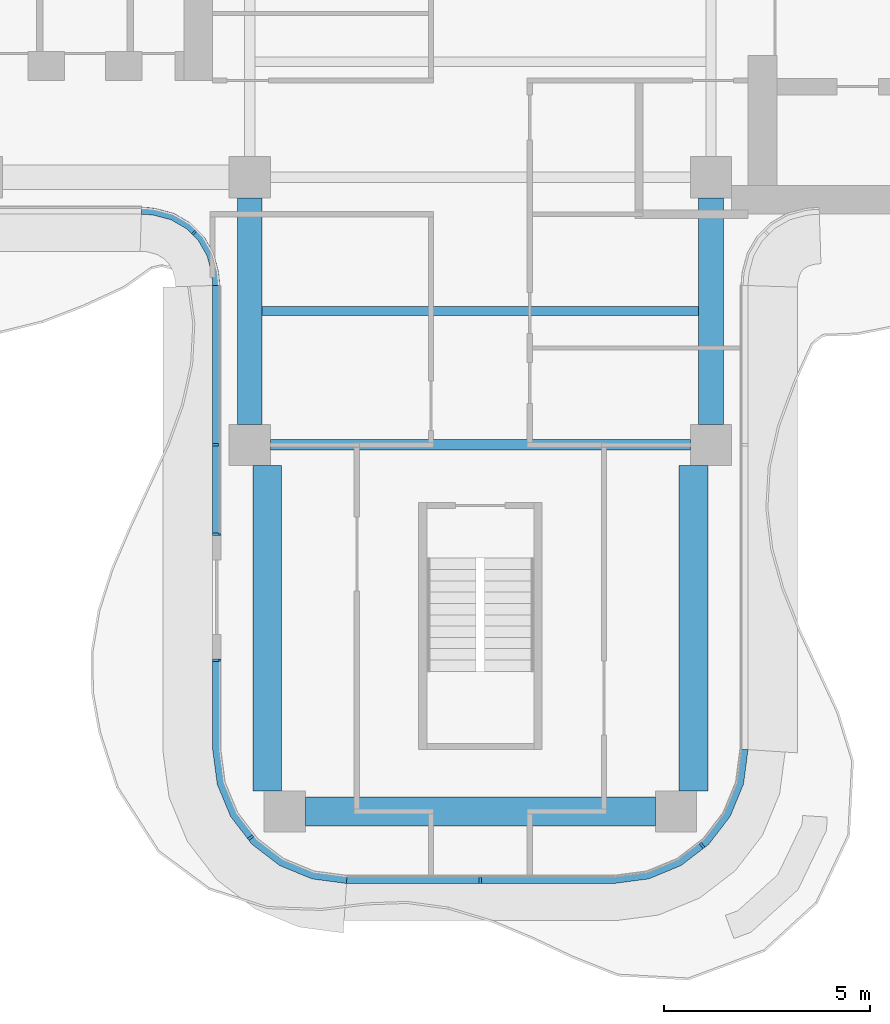
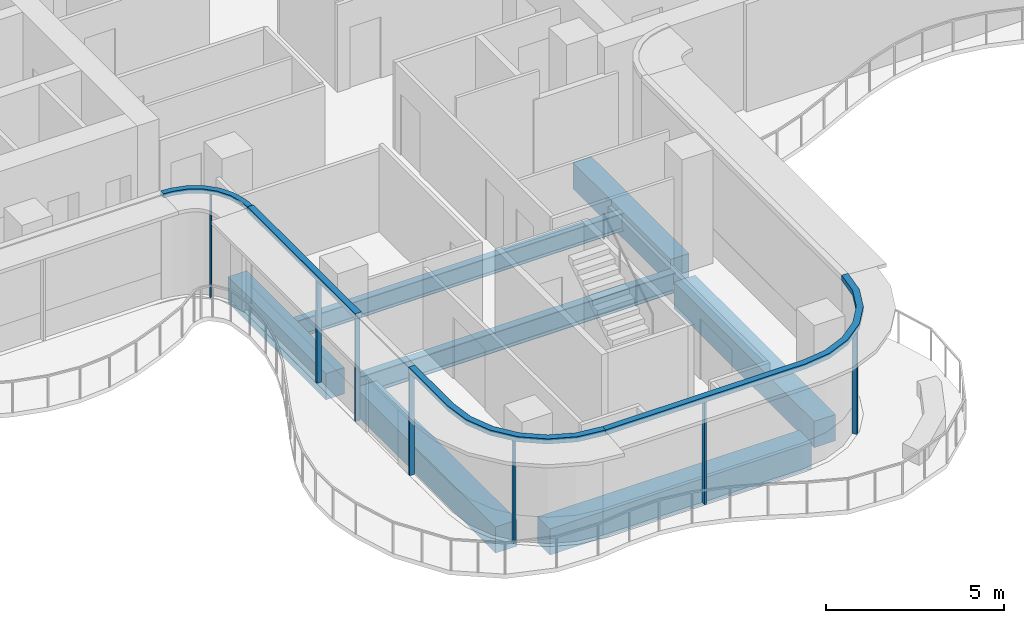
# One storey, part 2 of 16: 11 members, 7 beams, 4 elements without a shape of their own.
"""IFC4 building model written with IfcOpenShell, lengths in metres."""

from ifc_helpers import new_model, si_unit, direction, frame, origin, origin_2d, place, context, subcontext, project, spatial, polyline, rectangle, i_section, outline, extrude, source, transform, mapped, material, layer, layer_set, material_profile, profile_set, type_object, element, aggregate, save


model = new_model("IFC4")

# Units and contexts
model_context = context("Model", 3, precision=1e-05, world=origin(), true_north=direction((0.0, 1.0)))
body_context = subcontext(model_context, "Body", "Model", "MODEL_VIEW")
ifc_project = project(units=[si_unit("LENGTHUNIT", "METRE"), si_unit("AREAUNIT", "SQUARE_METRE"), si_unit("VOLUMEUNIT", "CUBIC_METRE"), si_unit("PLANEANGLEUNIT", "RADIAN"), si_unit("MASSUNIT", "GRAM", prefix="KILO")], contexts=[model_context])

# Site, building, storey
site_placement = place(None, origin())
site = spatial("IfcSite", under=ifc_project, at=site_placement, CompositionType="ELEMENT")
building_placement = place(site_placement, origin())
building = spatial("IfcBuilding", under=site, at=building_placement, Name="Trellis Farm Tower", CompositionType="ELEMENT")
storey_placement = place(building_placement, frame((0.0, 0.0, 298.89990234375)))
storey = spatial("IfcBuildingStorey", under=building, at=storey_placement, Name="L67", CompositionType="ELEMENT", Elevation=298.89990234375)

# Curtain wall, member
ifc_material_1 = material(Name="Aluminium and glass curtain wall", Category="aluminium")
ifc_layer_1 = layer(ifc_material_1, 0.18994140625)
ifc_layer_set_1 = layer_set([ifc_layer_1], Name="RIBBON CURTAIN WALL CW1")
curtain_wall_type_1 = type_object("IfcCurtainWallType", Name="RIBBON CURTAIN WALL CW1", PredefinedType="NOTDEFINED", material=ifc_layer_set_1)
placement_1 = place(storey_placement, origin())
curtain_wall_1 = element("IfcCurtainWall", 1, at=placement_1, inside=storey, type_object=curtain_wall_type_1, Name="CW1 002", PredefinedType="NOTDEFINED")
ifc_material_2 = material(Name="Aluminium extrusion 6063-T6", Category="aluminium")
ifc_layer_2 = layer(ifc_material_2, 0.199951171875)
ifc_layer_set_2 = layer_set([ifc_layer_2], Name="Aluminium extrusion 6063-T6")
member_type_1 = type_object("IfcMemberType", Name="CW1 TRANSOM 200x180", PredefinedType="USERDEFINED", material=ifc_layer_set_2)
placement_2 = place(storey_placement, frame((0.0, 0.0, 3.52001953125)))
member_1 = element("IfcMember", 2, at=placement_2, type_object=member_type_1, Name="TR1 002", ObjectType="TRANSOM", PredefinedType="USERDEFINED", context=body_context, shape_type="SweptSolid", body=[
    extrude(outline(polyline([(-6.5, -8.2314453125), (-6.5, -14.300048828125), (-6.300048828125, -14.300048828125), (-6.300048828125, -8.224853515625), (-6.5, -8.2314453125)])), origin(), (0.0, 0.0, 1.0), 0.18017578125),
])

curtain_wall_2 = element("IfcCurtainWall", 3, at=placement_1, inside=storey, type_object=curtain_wall_type_1, Name="CW1 003", PredefinedType="NOTDEFINED")
member_2 = element("IfcMember", 4, at=placement_2, type_object=member_type_1, Name="TR1 003", ObjectType="TRANSOM", PredefinedType="USERDEFINED", context=body_context, shape_type="SweptSolid", body=[
    extrude(outline(polyline([(-6.5, -17.300048828125), (-6.5, -19.5), (-6.38916015625, -20.341064453125), (-6.064697265625, -21.125), (-5.548095703125, -21.798095703125), (-4.875, -22.314697265625), (-4.091064453125, -22.63916015625), (-3.25, -22.75), (-3.23681640625, -22.550048828125), (-4.0390625, -22.4443359375), (-4.774169921875, -22.139892578125), (-5.405517578125, -21.655517578125), (-5.889892578125, -21.024169921875), (-6.1943359375, -20.2890625), (-6.300048828125, -19.48681640625), (-6.300048828125, -17.300048828125), (-6.5, -17.300048828125)])), origin(), (0.0, 0.0, 1.0), 0.18017578125),
])

# Beams
ifc_material_3 = material(Name="Steel S355", Category="steel")
ifc_material_profile_1 = material_profile(ifc_material_3, i_section(OverallWidth=0.22900390625, OverallDepth=0.6123046875, WebThickness=0.011962890625, FlangeThickness=0.01953125, FilletRadius=0.0126953125, at=origin_2d()), Name="UB 610x229x125")
ifc_profile_set_1 = profile_set([ifc_material_profile_1], Name="Steel S355")
beam_type_1 = type_object("IfcBeamType", Name="UB 610x229x125 joist", PredefinedType="JOIST", material=ifc_profile_set_1)
shared_shape_1 = source(origin(), body_context, "Body", "SweptSolid", [
    extrude(i_section(OverallWidth=0.22900390625, OverallDepth=0.6123046875, WebThickness=0.011962890625, FlangeThickness=0.01953125, FilletRadius=0.0126953125, at=origin_2d()), origin(), (0.0, 0.0, 1.0), 10.60009765625),
])
beam_1_placement = place(storey_placement, frame((-5.300048828125, -8.85009765625, -0.506103515625), z_axis=(1.0, 0.0, 0.0), x_axis=(0.0, 1.0, 0.0)))
element("IfcBeam", 5, at=beam_1_placement, inside=storey, type_object=beam_type_1, Name="Floor beam", PredefinedType="JOIST", context=body_context, shape_type="MappedRepresentation", body=[
    mapped(shared_shape_1, transform((0.0, 0.0, 0.0))),
])
ifc_material_profile_2 = material_profile(ifc_material_3, i_section(OverallWidth=0.253662109375, OverallDepth=0.68359375, WebThickness=0.012451171875, FlangeThickness=0.021728515625, FilletRadius=0.01513671875, at=origin_2d()), Name="UB 686x254x140")
ifc_profile_set_2 = profile_set([ifc_material_profile_2], Name="Steel S355")
beam_type_2 = type_object("IfcBeamType", Name="UB 686x254x140", PredefinedType="BEAM", material=ifc_profile_set_2)
shared_shape_2 = source(origin(), body_context, "Body", "SweptSolid", [
    extrude(i_section(OverallWidth=0.253662109375, OverallDepth=0.68359375, WebThickness=0.012451171875, FlangeThickness=0.021728515625, FilletRadius=0.01513671875, at=origin_2d()), origin(), (0.0, 0.0, 1.0), 10.2001953125),
])
beam_2_placement = place(storey_placement, frame((-5.10009765625, -12.10009765625, -0.541748046875), z_axis=(1.0, 0.0, 0.0), x_axis=(0.0, 1.0, 0.0)))
element("IfcBeam", 6, at=beam_2_placement, inside=storey, type_object=beam_type_2, Name="Girder", PredefinedType="BEAM", context=body_context, shape_type="MappedRepresentation", body=[
    mapped(shared_shape_2, transform((0.0, 0.0, 0.0))),
])
ifc_material_4 = material(Name="Concrete C60/75", Category="concrete")
ifc_material_profile_3 = material_profile(ifc_material_4, rectangle(XDim=0.60009765625, YDim=0.89990234375, at=origin_2d()), Name="RC spandrel beam 600x900 C60/75")
ifc_profile_set_3 = profile_set([ifc_material_profile_3], Name="Concrete C60/75")
beam_type_3 = type_object("IfcBeamType", Name="RC spandrel beam 600x900 C60/75", PredefinedType="SPANDREL", material=ifc_profile_set_3)
shared_shape_3 = source(origin(), body_context, "Body", "SweptSolid", [
    extrude(rectangle(XDim=0.60009765625, YDim=0.89990234375, at=origin_2d()), origin(), (0.0, 0.0, 1.0), 5.5),
])
for number, where, z_axis, x_axis, name in (
    (7, (-5.60009765625, -11.60009765625, -0.64990234375), (0.0, 1.0, 0.0), (-1.0, 0.0, 0.0), "Girder"),
    (8, (5.60009765625, -11.60009765625, -0.64990234375), (0.0, 1.0, 0.0), (-1.0, 0.0, 0.0), "Girder"),
):
    element("IfcBeam", number, at=place(storey_placement, frame(where, z_axis=z_axis, x_axis=x_axis)), inside=storey, type_object=beam_type_3, Name=name, PredefinedType="SPANDREL", context=body_context, shape_type="MappedRepresentation", body=[
        mapped(shared_shape_3, transform((0.0, 0.0, 0.0))),
    ])
ifc_material_profile_4 = material_profile(ifc_material_4, rectangle(XDim=0.699951171875, YDim=0.89990234375, at=origin_2d()), Name="RC spandrel beam 700x900 C60/75")
ifc_profile_set_4 = profile_set([ifc_material_profile_4], Name="Concrete C60/75")
beam_type_4 = type_object("IfcBeamType", Name="RC spandrel beam 700x900 C60/75", PredefinedType="SPANDREL", material=ifc_profile_set_4)
shared_shape_4 = source(origin(), body_context, "Body", "SweptSolid", [
    extrude(rectangle(XDim=0.699951171875, YDim=0.89990234375, at=origin_2d()), origin(), (0.0, 0.0, 1.0), 8.5),
])
beam_3_placement = place(storey_placement, frame((-4.25, -21.0, -0.64990234375), z_axis=(1.0, 0.0, 0.0), x_axis=(0.0, 1.0, 0.0)))
element("IfcBeam", 9, at=beam_3_placement, inside=storey, type_object=beam_type_4, Name="Girder", PredefinedType="SPANDREL", context=body_context, shape_type="MappedRepresentation", body=[
    mapped(shared_shape_4, transform((0.0, 0.0, 0.0))),
])
shared_shape_5 = source(origin(), body_context, "Body", "SweptSolid", [
    extrude(rectangle(XDim=0.699951171875, YDim=0.89990234375, at=origin_2d()), origin(), (0.0, 0.0, 1.0), 7.89990234375),
])
for number, where, z_axis, x_axis, name in (
    (10, (-5.175048828125, -20.5, -0.64990234375), (0.0, 1.0, 0.0), (-1.0, 0.0, 0.0), "Girder"),
    (11, (5.175048828125, -20.5, -0.64990234375), (0.0, 1.0, 0.0), (-1.0, 0.0, 0.0), "Girder"),
):
    element("IfcBeam", number, at=place(storey_placement, frame(where, z_axis=z_axis, x_axis=x_axis)), inside=storey, type_object=beam_type_4, Name=name, PredefinedType="SPANDREL", context=body_context, shape_type="MappedRepresentation", body=[
        mapped(shared_shape_5, transform((0.0, 0.0, 0.0))),
    ])

# Member
ifc_material_profile_5 = material_profile(ifc_material_2, rectangle(XDim=0.06005859375, YDim=0.14990234375, at=origin_2d()), Name="MULLION 60x150")
ifc_profile_set_5 = profile_set([ifc_material_profile_5], Name="Aluminium extrusion 6063-T6")
member_type_2 = type_object("IfcMemberType", Name="CW1 MULLION 60x150", PredefinedType="MULLION", material=ifc_profile_set_5)
shared_shape_6 = source(origin(), body_context, "Body", "SweptSolid", [
    extrude(rectangle(XDim=0.06005859375, YDim=0.14990234375, at=origin_2d()), origin(), (0.0, 0.0, 1.0), 3.52001953125),
])
member_3_placement = place(storey_placement, frame((-6.425048828125, -12.10009765625, 0.0), z_axis=(0.0, 0.0, 1.0), x_axis=(0.0, -1.0, 0.0)))
member_3 = element("IfcMember", 12, at=member_3_placement, type_object=member_type_2, Name="MU1 002-01", PredefinedType="MULLION", context=body_context, shape_type="MappedRepresentation", body=[
    mapped(shared_shape_6, transform((0.0, 0.0, 0.0))),
])

member_4_placement = place(storey_placement, frame((-6.425048828125, -14.27001953125, 0.0), z_axis=(0.0, 0.0, 1.0), x_axis=(0.0, -1.0, 0.0)))
member_4 = element("IfcMember", 13, at=member_4_placement, type_object=member_type_2, Name="MU1 002-02", PredefinedType="MULLION", context=body_context, shape_type="MappedRepresentation", body=[
    mapped(shared_shape_6, transform((0.0, 0.0, 0.0))),
])

aggregate(curtain_wall_1, [member_3, member_4, member_1])

member_5_placement = place(storey_placement, frame((-6.425048828125, -17.330078125, 0.0), z_axis=(0.0, 0.0, 1.0), x_axis=(0.0, -1.0, 0.0)))
member_5 = element("IfcMember", 14, at=member_5_placement, type_object=member_type_2, Name="MU1 003-01", PredefinedType="MULLION", context=body_context, shape_type="MappedRepresentation", body=[
    mapped(shared_shape_6, transform((0.0, 0.0, 0.0))),
])

member_6_placement = place(storey_placement, frame((-5.578369140625, -21.635498046875, 0.0), z_axis=(0.0, 0.0, 1.0), x_axis=(0.608761429009, -0.793353340291, 0.0)))
member_6 = element("IfcMember", 15, at=member_6_placement, type_object=member_type_2, Name="MU1 003-02", PredefinedType="MULLION", context=body_context, shape_type="MappedRepresentation", body=[
    mapped(shared_shape_6, transform((0.0, 0.0, 0.0))),
])

aggregate(curtain_wall_2, [member_5, member_6, member_2])

# Curtain wall, members
curtain_wall_3 = element("IfcCurtainWall", 16, at=placement_1, inside=storey, type_object=curtain_wall_type_1, Name="CW1 004", PredefinedType="NOTDEFINED")
member_7_placement = place(storey_placement, frame((0.0, -22.675048828125, 0.0), z_axis=(0.0, 0.0, 1.0), x_axis=(1.0, 0.0, 0.0)))
member_7 = element("IfcMember", 17, at=member_7_placement, type_object=member_type_2, Name="MU1 004-01", PredefinedType="MULLION", context=body_context, shape_type="MappedRepresentation", body=[
    mapped(shared_shape_6, transform((0.0, 0.0, 0.0))),
])
member_8_placement = place(storey_placement, frame((5.385498046875, -21.828369140625, 0.0), z_axis=(0.0, 0.0, 1.0), x_axis=(0.793353340291, 0.608761429009, 0.0)))
member_8 = element("IfcMember", 18, at=member_8_placement, type_object=member_type_2, Name="MU1 004-02", PredefinedType="MULLION", context=body_context, shape_type="MappedRepresentation", body=[
    mapped(shared_shape_6, transform((0.0, 0.0, 0.0))),
])

ifc_layer_3 = layer(ifc_material_1, 0.166015625)
ifc_layer_set_3 = layer_set([ifc_layer_3], Name="WINTER GARDEN CURTAIN WALL CW3")
curtain_wall_type_2 = type_object("IfcCurtainWallType", Name="WINTER GARDEN CURTAIN WALL CW3", PredefinedType="NOTDEFINED", material=ifc_layer_set_3)
curtain_wall_4 = element("IfcCurtainWall", 19, at=placement_1, inside=storey, type_object=curtain_wall_type_2, Name="CW3 001", PredefinedType="NOTDEFINED")
ifc_material_profile_6 = material_profile(ifc_material_2, rectangle(XDim=0.050048828125, YDim=0.1201171875, at=origin_2d()), Name="MULLION 50x120")
ifc_profile_set_6 = profile_set([ifc_material_profile_6], Name="Aluminium extrusion 6063-T6")
member_type_3 = type_object("IfcMemberType", Name="CW3 MULLION 50x120", PredefinedType="MULLION", material=ifc_profile_set_6)
shared_shape_7 = source(origin(), body_context, "Body", "SweptSolid", [
    extrude(rectangle(XDim=0.050048828125, YDim=0.1201171875, at=origin_2d()), origin(), (0.0, 0.0, 1.0), 3.550048828125),
])
member_9_placement = place(storey_placement, frame((-6.953125, -6.953125, 0.0), z_axis=(0.0, 0.0, 1.0), x_axis=(0.707106781187, -0.707106781187, 0.0)))
member_9 = element("IfcMember", 20, at=member_9_placement, type_object=member_type_3, Name="MU3 001-01", PredefinedType="MULLION", context=body_context, shape_type="MappedRepresentation", body=[
    mapped(shared_shape_7, transform((0.0, 0.0, 0.0))),
])
ifc_layer_4 = layer(ifc_material_2, 0.169921875)
ifc_layer_set_4 = layer_set([ifc_layer_4], Name="Aluminium extrusion 6063-T6")
member_type_4 = type_object("IfcMemberType", Name="CW3 TRANSOM 170x150", PredefinedType="USERDEFINED", material=ifc_layer_set_4)
shared_shape_8 = source(origin(), body_context, "Body", "SweptSolid", [
    extrude(outline(polyline([(-8.2314453125, -6.5), (-8.01953125, -6.513916015625), (-7.91552734375, -6.527587890625), (-7.508544921875, -6.63671875), (-7.144287109375, -6.846923828125), (-6.846923828125, -7.144287109375), (-6.63671875, -7.508544921875), (-6.527587890625, -7.91552734375), (-6.513916015625, -8.01953125), (-6.5, -8.2314453125), (-6.330078125, -8.225830078125), (-6.3447265625, -8.0029296875), (-6.360595703125, -7.88232421875), (-6.478271484375, -7.44287109375), (-6.7109375, -7.0400390625), (-7.0400390625, -6.7109375), (-7.44287109375, -6.478271484375), (-7.88232421875, -6.360595703125), (-8.0029296875, -6.3447265625), (-8.225830078125, -6.330078125), (-8.2314453125, -6.5)])), origin(), (0.0, 0.0, 1.0), 0.150146484375),
])
member_10_placement = place(storey_placement, frame((0.0, 0.0, 3.550048828125)))
member_10 = element("IfcMember", 21, at=member_10_placement, type_object=member_type_4, Name="TR3 001", ObjectType="TRANSOM", PredefinedType="USERDEFINED", context=body_context, shape_type="MappedRepresentation", body=[
    mapped(shared_shape_8, transform((0.0, 0.0, 0.0))),
])
aggregate(curtain_wall_4, [member_9, member_10])

# Member
shared_shape_9 = source(origin(), body_context, "Body", "SweptSolid", [
    extrude(outline(polyline([(-3.25, -22.75), (3.25, -22.75), (4.091064453125, -22.63916015625), (4.875, -22.314697265625), (5.548095703125, -21.798095703125), (6.064697265625, -21.125), (6.38916015625, -20.341064453125), (6.5, -19.5), (6.300048828125, -19.48681640625), (6.1943359375, -20.2890625), (5.889892578125, -21.024169921875), (5.405517578125, -21.655517578125), (4.774169921875, -22.139892578125), (4.0390625, -22.4443359375), (3.23681640625, -22.550048828125), (-3.23681640625, -22.550048828125), (-3.25, -22.75)])), origin(), (0.0, 0.0, 1.0), 0.18017578125),
])
member_11 = element("IfcMember", 22, at=placement_2, type_object=member_type_1, Name="TR1 004", ObjectType="TRANSOM", PredefinedType="USERDEFINED", context=body_context, shape_type="MappedRepresentation", body=[
    mapped(shared_shape_9, transform((0.0, 0.0, 0.0))),
])

aggregate(curtain_wall_3, [member_7, member_8, member_11])

save(model, "model.ifc")
